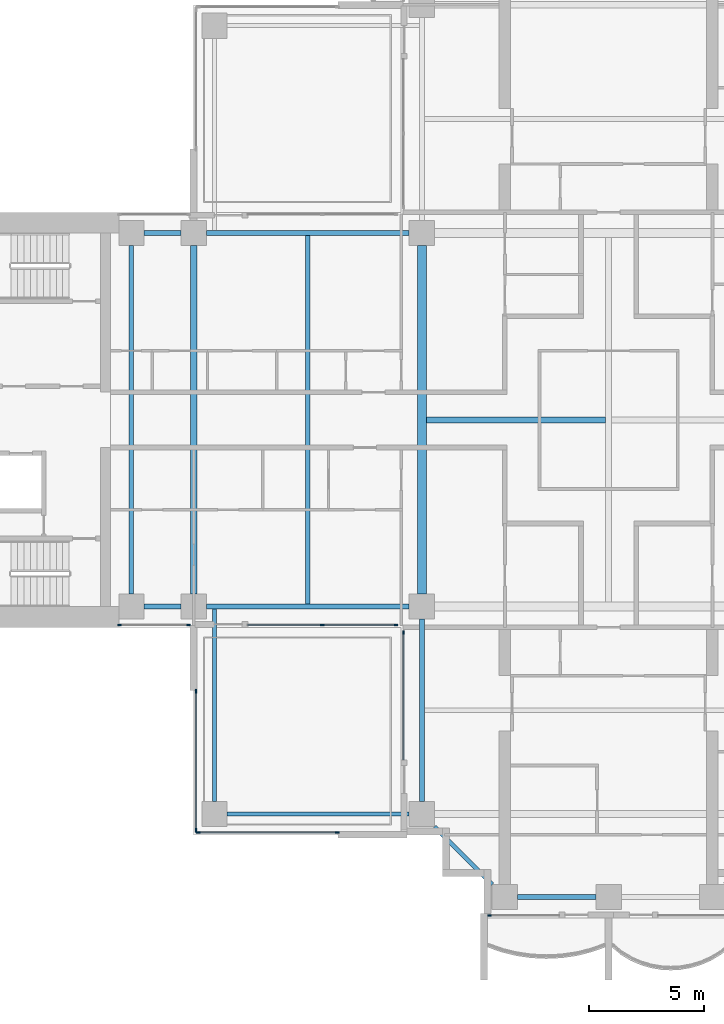
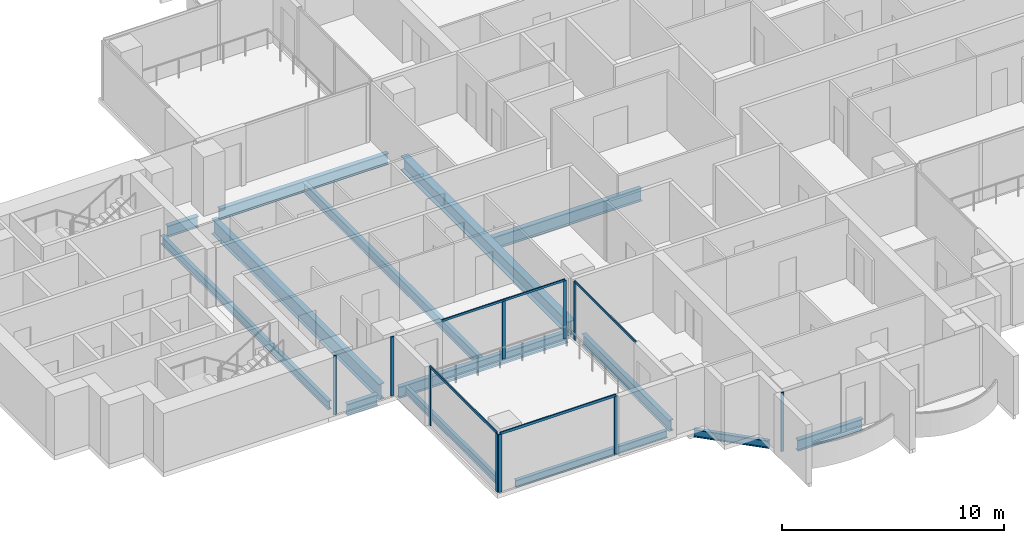
# One storey, part 2 of 18: 14 beams, 14 members, 6 elements without a shape of their own.
"""IFC4 building model written with IfcOpenShell, lengths in metres."""

from ifc_helpers import new_model, si_unit, direction, frame, origin, origin_2d, place, context, subcontext, project, spatial, rectangle, i_section, extrude, material, material_profile, profile_set, type_object, element, aggregate, save


model = new_model("IFC4")

# Units and contexts
model_context = context("Model", 3, precision=1e-05, world=origin(), true_north=direction((0.0, 1.0)))
body_context = subcontext(model_context, "Body", "Model", "MODEL_VIEW")
ifc_project = project(units=[si_unit("LENGTHUNIT", "METRE"), si_unit("AREAUNIT", "SQUARE_METRE"), si_unit("VOLUMEUNIT", "CUBIC_METRE"), si_unit("PLANEANGLEUNIT", "RADIAN"), si_unit("MASSUNIT", "GRAM", prefix="KILO")], contexts=[model_context])

# Site, building, storey
site_placement = place(None, origin())
site = spatial("IfcSite", under=ifc_project, at=site_placement, CompositionType="ELEMENT")
building_placement = place(site_placement, origin())
building = spatial("IfcBuilding", under=site, at=building_placement, Name="Perihelion Cross Residences", CompositionType="ELEMENT")
storey_placement = place(building_placement, frame((0.0, 0.0, 123.39990234375)))
storey = spatial("IfcBuildingStorey", under=building, at=storey_placement, Name="L29", CompositionType="ELEMENT", Elevation=123.39990234375)

# Curtain wall, members
ifc_material_1 = material(Name="Bronze anodised aluminium, tinted glazing", Category="aluminium")
curtain_wall_type_1 = type_object("IfcCurtainWallType", Name="CW1", PredefinedType="NOTDEFINED", material=ifc_material_1)
curtain_wall_1_placement = place(storey_placement, origin())
curtain_wall_1 = element("IfcCurtainWall", 1, at=curtain_wall_1_placement, inside=storey, type_object=curtain_wall_type_1, Name="Curtain wall CW1 L29 west side south bay 1", PredefinedType="NOTDEFINED")
ifc_material_2 = material(Name="Bronze anodised aluminium", Category="aluminium")
ifc_material_profile_1 = material_profile(ifc_material_2, rectangle(XDim=0.06005859375, YDim=0.159912109375, at=origin_2d()), Name="CW1 mullion")
ifc_profile_set_1 = profile_set([ifc_material_profile_1], Name="Bronze anodised aluminium")
member_type_1 = type_object("IfcMemberType", Name="CW1 mullion", PredefinedType="MULLION", material=ifc_profile_set_1)
member_1_placement = place(storey_placement, frame((-21.219970703125, -8.89990234375, 0.0), z_axis=(0.0, 0.0, 1.0), x_axis=(0.0, 1.0, 0.0)))
member_1 = element("IfcMember", 2, at=member_1_placement, type_object=member_type_1, Name="CW1 mullion 1", PredefinedType="MULLION", context=body_context, shape_type="SweptSolid", body=[
    extrude(rectangle(XDim=0.06005859375, YDim=0.159912109375, at=origin_2d()), origin(), (0.0, 0.0, 1.0), 3.25),
])
member_2_placement = place(storey_placement, frame((-18.22998046875, -8.89990234375, 0.0), z_axis=(0.0, 0.0, 1.0), x_axis=(0.0, 1.0, 0.0)))
member_2 = element("IfcMember", 3, at=member_2_placement, type_object=member_type_1, Name="CW1 mullion 2", PredefinedType="MULLION", context=body_context, shape_type="SweptSolid", body=[
    extrude(rectangle(XDim=0.06005859375, YDim=0.159912109375, at=origin_2d()), origin(), (0.0, 0.0, 1.0), 3.25),
])
aggregate(curtain_wall_1, [member_1, member_2])

curtain_wall_2_placement = place(storey_placement, origin())
curtain_wall_2 = element("IfcCurtainWall", 4, at=curtain_wall_2_placement, inside=storey, type_object=curtain_wall_type_1, Name="Curtain wall CW1 L29 west side south bay 2", PredefinedType="NOTDEFINED")
member_3_placement = place(storey_placement, frame((-12.425048828125, -8.89990234375, 0.0), z_axis=(0.0, 0.0, 1.0), x_axis=(0.0, 1.0, 0.0)))
member_3 = element("IfcMember", 5, at=member_3_placement, type_object=member_type_1, Name="CW1 mullion 2", PredefinedType="MULLION", context=body_context, shape_type="SweptSolid", body=[
    extrude(rectangle(XDim=0.06005859375, YDim=0.159912109375, at=origin_2d()), origin(), (0.0, 0.0, 1.0), 3.190185546875),
])
member_4_placement = place(storey_placement, frame((-9.22998046875, -8.89990234375, 0.0), z_axis=(0.0, 0.0, 1.0), x_axis=(0.0, 1.0, 0.0)))
member_4 = element("IfcMember", 6, at=member_4_placement, type_object=member_type_1, Name="CW1 mullion 3", PredefinedType="MULLION", context=body_context, shape_type="SweptSolid", body=[
    extrude(rectangle(XDim=0.06005859375, YDim=0.159912109375, at=origin_2d()), origin(), (0.0, 0.0, 1.0), 3.190185546875),
])

# Curtain wall, member
curtain_wall_3_placement = place(storey_placement, origin())
curtain_wall_3 = element("IfcCurtainWall", 7, at=curtain_wall_3_placement, inside=storey, type_object=curtain_wall_type_1, Name="Curtain wall CW1 L29 south side west bay 1", PredefinedType="NOTDEFINED")
member_5_placement = place(storey_placement, frame((-8.89990234375, -9.22998046875, 0.0), z_axis=(0.0, 0.0, 1.0), x_axis=(1.0, 0.0, 0.0)))
member_5 = element("IfcMember", 8, at=member_5_placement, type_object=member_type_1, Name="CW1 mullion 1", PredefinedType="MULLION", context=body_context, shape_type="SweptSolid", body=[
    extrude(rectangle(XDim=0.06005859375, YDim=0.159912109375, at=origin_2d()), origin(), (0.0, 0.0, 1.0), 3.190185546875),
])

curtain_wall_4_placement = place(storey_placement, origin())
curtain_wall_4 = element("IfcCurtainWall", 9, at=curtain_wall_4_placement, inside=storey, type_object=curtain_wall_type_1, Name="Curtain wall CW1 L29 south tip south bay 1", PredefinedType="NOTDEFINED")
member_6_placement = place(storey_placement, frame((-5.169921875, -21.5, 0.0), z_axis=(0.0, 0.0, 1.0), x_axis=(0.0, 1.0, 0.0)))
member_6 = element("IfcMember", 10, at=member_6_placement, type_object=member_type_1, Name="CW1 mullion 1", PredefinedType="MULLION", context=body_context, shape_type="SweptSolid", body=[
    extrude(rectangle(XDim=0.06005859375, YDim=0.159912109375, at=origin_2d()), origin(), (0.0, 0.0, 1.0), 3.25),
])
aggregate(curtain_wall_4, [member_6])

# Member
ifc_material_3 = material(Name="Bronze anodised aluminium", Category="aluminium")
ifc_material_profile_2 = material_profile(ifc_material_3, rectangle(XDim=0.06005859375, YDim=0.1201171875, at=origin_2d()), Name="CW1 transom")
ifc_profile_set_2 = profile_set([ifc_material_profile_2], Name="Bronze anodised aluminium")
member_type_2 = type_object("IfcMemberType", Name="CW1 transom", PredefinedType="USERDEFINED", material=ifc_profile_set_2)
member_7_placement = place(storey_placement, frame((-15.64990234375, -8.89990234375, 3.22021484375), z_axis=(1.0, 0.0, 0.0), x_axis=(0.0, 1.0, 0.0)))
member_7 = element("IfcMember", 11, at=member_7_placement, type_object=member_type_2, Name="CW1 head transom", ObjectType="TRANSOM", PredefinedType="USERDEFINED", context=body_context, shape_type="SweptSolid", body=[
    extrude(rectangle(XDim=0.06005859375, YDim=0.1201171875, at=origin_2d()), origin(), (0.0, 0.0, 1.0), 6.419921875),
])

aggregate(curtain_wall_2, [member_3, member_4, member_7])

member_8_placement = place(storey_placement, frame((-8.89990234375, -9.22998046875, 3.22021484375), z_axis=(0.0, -1.0, 0.0), x_axis=(1.0, 0.0, 0.0)))
member_8 = element("IfcMember", 12, at=member_8_placement, type_object=member_type_2, Name="CW1 head transom", ObjectType="TRANSOM", PredefinedType="USERDEFINED", context=body_context, shape_type="SweptSolid", body=[
    extrude(rectangle(XDim=0.06005859375, YDim=0.1201171875, at=origin_2d()), origin(), (0.0, 0.0, 1.0), 5.52001953125),
])

aggregate(curtain_wall_3, [member_5, member_8])

# Curtain wall, members
ifc_material_4 = material(Name="Bronze anodised aluminium, tinted glazing", Category="aluminium")
curtain_wall_type_2 = type_object("IfcCurtainWallType", Name="CW4", PredefinedType="NOTDEFINED", material=ifc_material_4)
curtain_wall_5_placement = place(storey_placement, origin())
curtain_wall_5 = element("IfcCurtainWall", 13, at=curtain_wall_5_placement, inside=storey, type_object=curtain_wall_type_2, Name="Curtain wall CW4 L29 pocket south-west 1 1", PredefinedType="NOTDEFINED")
ifc_material_5 = material(Name="Bronze anodised aluminium", Category="aluminium")
ifc_material_profile_3 = material_profile(ifc_material_5, rectangle(XDim=0.06005859375, YDim=0.179931640625, at=origin_2d()), Name="CW4 mullion")
ifc_profile_set_3 = profile_set([ifc_material_profile_3], Name="Bronze anodised aluminium")
member_type_3 = type_object("IfcMemberType", Name="CW4 mullion", PredefinedType="MULLION", material=ifc_profile_set_3)
member_9_placement = place(storey_placement, frame((-11.77001953125, -17.89990234375, 0.0), z_axis=(0.0, 0.0, 1.0), x_axis=(0.0, -1.0, 0.0)))
member_9 = element("IfcMember", 14, at=member_9_placement, type_object=member_type_3, Name="CW4 mullion 1", PredefinedType="MULLION", context=body_context, shape_type="SweptSolid", body=[
    extrude(rectangle(XDim=0.06005859375, YDim=0.179931640625, at=origin_2d()), origin(), (0.0, 0.0, 1.0), 3.190185546875),
])
member_10_placement = place(storey_placement, frame((-17.800048828125, -17.89990234375, 0.0), z_axis=(0.0, 0.0, 1.0), x_axis=(0.0, -1.0, 0.0)))
member_10 = element("IfcMember", 15, at=member_10_placement, type_object=member_type_3, Name="CW4 mullion 2", PredefinedType="MULLION", context=body_context, shape_type="SweptSolid", body=[
    extrude(rectangle(XDim=0.06005859375, YDim=0.179931640625, at=origin_2d()), origin(), (0.0, 0.0, 1.0), 3.190185546875),
])

curtain_wall_6_placement = place(storey_placement, origin())
curtain_wall_6 = element("IfcCurtainWall", 16, at=curtain_wall_6_placement, inside=storey, type_object=curtain_wall_type_2, Name="Curtain wall CW4 L29 pocket south-west 1 2", PredefinedType="NOTDEFINED")
member_11_placement = place(storey_placement, frame((-17.89990234375, -17.800048828125, 0.0), z_axis=(0.0, 0.0, 1.0), x_axis=(-1.0, 0.0, 0.0)))
member_11 = element("IfcMember", 17, at=member_11_placement, type_object=member_type_3, Name="CW4 mullion 1", PredefinedType="MULLION", context=body_context, shape_type="SweptSolid", body=[
    extrude(rectangle(XDim=0.06005859375, YDim=0.179931640625, at=origin_2d()), origin(), (0.0, 0.0, 1.0), 3.190185546875),
])
member_12_placement = place(storey_placement, frame((-17.89990234375, -11.77001953125, 0.0), z_axis=(0.0, 0.0, 1.0), x_axis=(-1.0, 0.0, 0.0)))
member_12 = element("IfcMember", 18, at=member_12_placement, type_object=member_type_3, Name="CW4 mullion 2", PredefinedType="MULLION", context=body_context, shape_type="SweptSolid", body=[
    extrude(rectangle(XDim=0.06005859375, YDim=0.179931640625, at=origin_2d()), origin(), (0.0, 0.0, 1.0), 3.190185546875),
])

# Member
ifc_material_6 = material(Name="Bronze anodised aluminium", Category="aluminium")
ifc_material_profile_4 = material_profile(ifc_material_6, rectangle(XDim=0.06005859375, YDim=0.139892578125, at=origin_2d()), Name="CW4 transom")
ifc_profile_set_4 = profile_set([ifc_material_profile_4], Name="Bronze anodised aluminium")
member_type_4 = type_object("IfcMemberType", Name="CW4 transom", PredefinedType="USERDEFINED", material=ifc_profile_set_4)
member_13_placement = place(storey_placement, frame((-11.77001953125, -17.89990234375, 3.22021484375), z_axis=(-1.0, 0.0, 0.0), x_axis=(0.0, -1.0, 0.0)))
member_13 = element("IfcMember", 19, at=member_13_placement, type_object=member_type_4, Name="CW4 head transom", ObjectType="TRANSOM", PredefinedType="USERDEFINED", context=body_context, shape_type="SweptSolid", body=[
    extrude(rectangle(XDim=0.06005859375, YDim=0.139892578125, at=origin_2d()), origin(), (0.0, 0.0, 1.0), 6.030029296875),
])

aggregate(curtain_wall_5, [member_9, member_10, member_13])

member_14_placement = place(storey_placement, frame((-17.89990234375, -17.800048828125, 3.22021484375), z_axis=(0.0, 1.0, 0.0), x_axis=(-1.0, 0.0, 0.0)))
member_14 = element("IfcMember", 20, at=member_14_placement, type_object=member_type_4, Name="CW4 head transom", ObjectType="TRANSOM", PredefinedType="USERDEFINED", context=body_context, shape_type="SweptSolid", body=[
    extrude(rectangle(XDim=0.06005859375, YDim=0.139892578125, at=origin_2d()), origin(), (0.0, 0.0, 1.0), 6.030029296875),
])

aggregate(curtain_wall_6, [member_11, member_12, member_14])

# Beams
ifc_material_7 = material(Name="Steel S355", Category="steel")
ifc_material_profile_5 = material_profile(ifc_material_7, i_section(OverallWidth=0.177978515625, OverallDepth=0.406005859375, WebThickness=0.0078125, FlangeThickness=0.0126953125, at=origin_2d()), Name="W410x60")
ifc_profile_set_5 = profile_set([ifc_material_profile_5], Name="Steel S355")
beam_type_1 = type_object("IfcBeamType", Name="Core edge beam W410x60", PredefinedType="BEAM", material=ifc_profile_set_5)
beam_1_placement = place(storey_placement, frame((-17.10009765625, -8.214599609375, -0.452880859375), z_axis=(0.0, -1.0, 0.0), x_axis=(1.0, 0.0, 0.0)))
element("IfcBeam", 21, at=beam_1_placement, inside=storey, type_object=beam_type_1, Name="Core edge beam TB2 L29 corner no. 1", PredefinedType="BEAM", context=body_context, shape_type="SweptSolid", body=[
    extrude(i_section(OverallWidth=0.177978515625, OverallDepth=0.406005859375, WebThickness=0.0078125, FlangeThickness=0.0126953125, at=origin_2d()), origin(), (0.0, 0.0, 1.0), 8.33544921875),
])
beam_2_placement = place(storey_placement, frame((-8.64990234375, -17.10009765625, -0.452880859375), z_axis=(-1.0, 0.0, 0.0), x_axis=(0.0, -1.0, 0.0)))
element("IfcBeam", 22, at=beam_2_placement, inside=storey, type_object=beam_type_1, Name="Core edge beam TB2 L29 corner no. 2", PredefinedType="BEAM", context=body_context, shape_type="SweptSolid", body=[
    extrude(i_section(OverallWidth=0.177978515625, OverallDepth=0.406005859375, WebThickness=0.0078125, FlangeThickness=0.0126953125, at=origin_2d()), origin(), (0.0, 0.0, 1.0), 7.900146484375),
])
ifc_material_8 = material(Name="Steel S355", Category="steel")
ifc_material_profile_6 = material_profile(ifc_material_8, i_section(OverallWidth=0.194091796875, OverallDepth=0.469970703125, WebThickness=0.0126953125, FlangeThickness=0.0205078125, at=origin_2d()), Name="W460x106")
ifc_profile_set_6 = profile_set([ifc_material_profile_6], Name="Steel S355")
beam_type_2 = type_object("IfcBeamType", Name="Core edge beam W460x106", PredefinedType="BEAM", material=ifc_profile_set_6)
beam_3_placement = place(storey_placement, frame((-20.699951171875, -7.550048828125, -0.48486328125), z_axis=(0.0, 1.0, 0.0), x_axis=(-1.0, 0.0, 0.0)))
element("IfcBeam", 23, at=beam_3_placement, inside=storey, type_object=beam_type_2, Name="Core edge beam TB5 L29 no. 1", PredefinedType="BEAM", context=body_context, shape_type="SweptSolid", body=[
    extrude(i_section(OverallWidth=0.194091796875, OverallDepth=0.469970703125, WebThickness=0.0126953125, FlangeThickness=0.0205078125, at=origin_2d()), origin(), (0.0, 0.0, 1.0), 15.10009765625),
])
ifc_material_9 = material(Name="Steel S355", Category="steel")
ifc_material_profile_7 = material_profile(ifc_material_9, i_section(OverallWidth=0.22900390625, OverallDepth=0.612060546875, WebThickness=0.011962890625, FlangeThickness=0.01953125, at=origin_2d()), Name="W610x125")
ifc_profile_set_7 = profile_set([ifc_material_profile_7], Name="Steel S355")
beam_type_3 = type_object("IfcBeamType", Name="Edge beam W610x125", PredefinedType="SPANDREL", material=ifc_profile_set_7)
beam_4_placement = place(storey_placement, frame((-8.64990234375, 8.10009765625, -0.555908203125), z_axis=(-1.0, 0.0, 0.0), x_axis=(0.0, -1.0, 0.0)))
element("IfcBeam", 24, at=beam_4_placement, inside=storey, type_object=beam_type_3, Name="Edge beam SB3 L29 no. 8", PredefinedType="SPANDREL", context=body_context, shape_type="SweptSolid", body=[
    extrude(i_section(OverallWidth=0.22900390625, OverallDepth=0.612060546875, WebThickness=0.011962890625, FlangeThickness=0.01953125, at=origin_2d()), origin(), (0.0, 0.0, 1.0), 8.800048828125),
])
for number, where, z_axis, x_axis, name in (
    (25, (-18.550048828125, 8.10009765625, -0.555908203125), (-1.0, 0.0, 0.0), (0.0, -1.0, 0.0), "Edge beam SB3 L29 no. 2"),
    (26, (-20.14990234375, -8.10009765625, -0.555908203125), (1.0, 0.0, 0.0), (0.0, 1.0, 0.0), "Edge beam SB3 L29 no. 3"),
):
    element("IfcBeam", number, at=place(storey_placement, frame(where, z_axis=z_axis, x_axis=x_axis)), inside=storey, type_object=beam_type_3, Name=name, PredefinedType="SPANDREL", context=body_context, shape_type="SweptSolid", body=[
        extrude(i_section(OverallWidth=0.22900390625, OverallDepth=0.612060546875, WebThickness=0.011962890625, FlangeThickness=0.01953125, at=origin_2d()), origin(), (0.0, 0.0, 1.0), 1.599853515625),
    ])
beam_5_placement = place(storey_placement, frame((-17.449951171875, -8.10009765625, -0.555908203125), z_axis=(1.0, 0.0, 0.0), x_axis=(0.0, 1.0, 0.0)))
element("IfcBeam", 27, at=beam_5_placement, inside=storey, type_object=beam_type_3, Name="Edge beam SB3 L29 no. 1", PredefinedType="SPANDREL", context=body_context, shape_type="SweptSolid", body=[
    extrude(i_section(OverallWidth=0.22900390625, OverallDepth=0.612060546875, WebThickness=0.011962890625, FlangeThickness=0.01953125, at=origin_2d()), origin(), (0.0, 0.0, 1.0), 8.800048828125),
])
beam_6_placement = place(storey_placement, frame((-8.10009765625, -8.64990234375, -0.555908203125), z_axis=(0.0, -1.0, 0.0), x_axis=(1.0, 0.0, 0.0)))
element("IfcBeam", 28, at=beam_6_placement, inside=storey, type_object=beam_type_3, Name="Edge beam SB3 L29 no. 5", PredefinedType="SPANDREL", context=body_context, shape_type="SweptSolid", body=[
    extrude(i_section(OverallWidth=0.22900390625, OverallDepth=0.612060546875, WebThickness=0.011962890625, FlangeThickness=0.01953125, at=origin_2d()), origin(), (0.0, 0.0, 1.0), 7.900146484375),
])
beam_7_placement = place(storey_placement, frame((-3.949951171875, -20.699951171875, -0.555908203125), z_axis=(1.0, 0.0, 0.0), x_axis=(0.0, 1.0, 0.0)))
element("IfcBeam", 29, at=beam_7_placement, inside=storey, type_object=beam_type_3, Name="Edge beam SB3 L29 no. 4", PredefinedType="SPANDREL", context=body_context, shape_type="SweptSolid", body=[
    extrude(i_section(OverallWidth=0.22900390625, OverallDepth=0.612060546875, WebThickness=0.011962890625, FlangeThickness=0.01953125, at=origin_2d()), origin(), (0.0, 0.0, 1.0), 3.39990234375),
])
ifc_material_10 = material(Name="Steel S355", Category="steel")
ifc_material_profile_8 = material_profile(ifc_material_10, i_section(OverallWidth=0.2919921875, OverallDepth=0.8359375, WebThickness=0.013916015625, FlangeThickness=0.018798828125, at=origin_2d()), Name="W840x176")
ifc_profile_set_8 = profile_set([ifc_material_profile_8], Name="Steel S355")
beam_type_4 = type_object("IfcBeamType", Name="Floor girder W840x176", PredefinedType="BEAM", material=ifc_profile_set_8)
beam_8_placement = place(storey_placement, frame((-18.0, -7.550048828125, -0.66796875), z_axis=(0.0, 1.0, 0.0), x_axis=(-1.0, 0.0, 0.0)))
element("IfcBeam", 30, at=beam_8_placement, inside=storey, type_object=beam_type_4, Name="Girder G3 L29 no. 1", PredefinedType="BEAM", context=body_context, shape_type="SweptSolid", body=[
    extrude(i_section(OverallWidth=0.2919921875, OverallDepth=0.8359375, WebThickness=0.013916015625, FlangeThickness=0.018798828125, at=origin_2d()), origin(), (0.0, 0.0, 1.0), 15.10009765625),
])
ifc_material_11 = material(Name="Steel S355", Category="steel")
ifc_material_profile_9 = material_profile(ifc_material_11, i_section(OverallWidth=0.208984375, OverallDepth=0.532958984375, WebThickness=0.01025390625, FlangeThickness=0.015625, at=origin_2d()), Name="W530x92")
ifc_profile_set_9 = profile_set([ifc_material_profile_9], Name="Steel S355")
beam_type_5 = type_object("IfcBeamType", Name="Floor joist W530x92", PredefinedType="JOIST", material=ifc_profile_set_9)
beam_9_placement = place(storey_placement, frame((-13.050048828125, -7.985595703125, -0.516357421875), z_axis=(0.0, 1.0, 0.0), x_axis=(-1.0, 0.0, 0.0)))
element("IfcBeam", 31, at=beam_9_placement, inside=storey, type_object=beam_type_5, Name="Joist J4 L29 no. 1", PredefinedType="JOIST", context=body_context, shape_type="SweptSolid", body=[
    extrude(i_section(OverallWidth=0.208984375, OverallDepth=0.532958984375, WebThickness=0.01025390625, FlangeThickness=0.015625, at=origin_2d()), origin(), (0.0, 0.0, 1.0), 15.97119140625),
])
ifc_material_12 = material(Name="Steel S355", Category="steel")
ifc_material_profile_10 = material_profile(ifc_material_12, i_section(OverallWidth=0.257080078125, OverallDepth=0.693115234375, WebThickness=0.014404296875, FlangeThickness=0.023681640625, at=origin_2d()), Name="W690x170")
ifc_profile_set_10 = profile_set([ifc_material_profile_10], Name="Steel S355")
beam_type_6 = type_object("IfcBeamType", Name="Hub cross beam W690x170", PredefinedType="BEAM", material=ifc_profile_set_10)
beam_10_placement = place(storey_placement, frame((-7.909423828125, 0.0, -0.596435546875), z_axis=(1.0, 0.0, 0.0), x_axis=(0.0, 1.0, 0.0)))
element("IfcBeam", 32, at=beam_10_placement, inside=storey, type_object=beam_type_6, Name="Hub cross beam XB3 L29 1 no. 1", PredefinedType="BEAM", context=body_context, shape_type="SweptSolid", body=[
    extrude(i_section(OverallWidth=0.257080078125, OverallDepth=0.693115234375, WebThickness=0.014404296875, FlangeThickness=0.023681640625, at=origin_2d()), origin(), (0.0, 0.0, 1.0), 7.781005859375),
])
ifc_material_13 = material(Name="Steel S355", Category="steel")
ifc_material_profile_11 = material_profile(ifc_material_13, i_section(OverallWidth=0.381103515625, OverallDepth=0.77197265625, WebThickness=0.0166015625, FlangeThickness=0.027099609375, at=origin_2d()), Name="W760x257")
ifc_profile_set_11 = profile_set([ifc_material_profile_11], Name="Steel S355")
beam_type_7 = type_object("IfcBeamType", Name="Hub ring girder W760x257", PredefinedType="BEAM", material=ifc_profile_set_11)
beam_11_placement = place(storey_placement, frame((-8.10009765625, 7.550048828125, -0.635986328125), z_axis=(0.0, -1.0, 0.0), x_axis=(1.0, 0.0, 0.0)))
element("IfcBeam", 33, at=beam_11_placement, inside=storey, type_object=beam_type_7, Name="Hub ring girder RG3 L29 no. 2", PredefinedType="BEAM", context=body_context, shape_type="SweptSolid", body=[
    extrude(i_section(OverallWidth=0.381103515625, OverallDepth=0.77197265625, WebThickness=0.0166015625, FlangeThickness=0.027099609375, at=origin_2d()), origin(), (0.0, 0.0, 1.0), 15.10009765625),
])
ifc_material_14 = material(Name="Steel S355", Category="steel")
ifc_material_profile_12 = material_profile(ifc_material_14, i_section(OverallWidth=0.180908203125, OverallDepth=0.4169921875, WebThickness=0.010986328125, FlangeThickness=0.018310546875, at=origin_2d()), Name="W410x85")
ifc_profile_set_12 = profile_set([ifc_material_profile_12], Name="Steel S355")
beam_type_8 = type_object("IfcBeamType", Name="Serration edge beam W410x85", PredefinedType="BEAM", material=ifc_profile_set_12)
beam_12_placement = place(storey_placement, frame((-7.550048828125, -17.64990234375, -0.45849609375), z_axis=(0.707106781187, -0.707106781187, 0.0), x_axis=(0.707106781187, 0.707106781187, 0.0)))
element("IfcBeam", 34, at=beam_12_placement, inside=storey, type_object=beam_type_8, Name="Serration edge beam EB3 L29 no. 2", PredefinedType="BEAM", context=body_context, shape_type="SweptSolid", body=[
    extrude(i_section(OverallWidth=0.180908203125, OverallDepth=0.4169921875, WebThickness=0.010986328125, FlangeThickness=0.018310546875, at=origin_2d()), origin(), (0.0, 0.0, 1.0), 3.53564453125),
])

save(model, "model.ifc")
